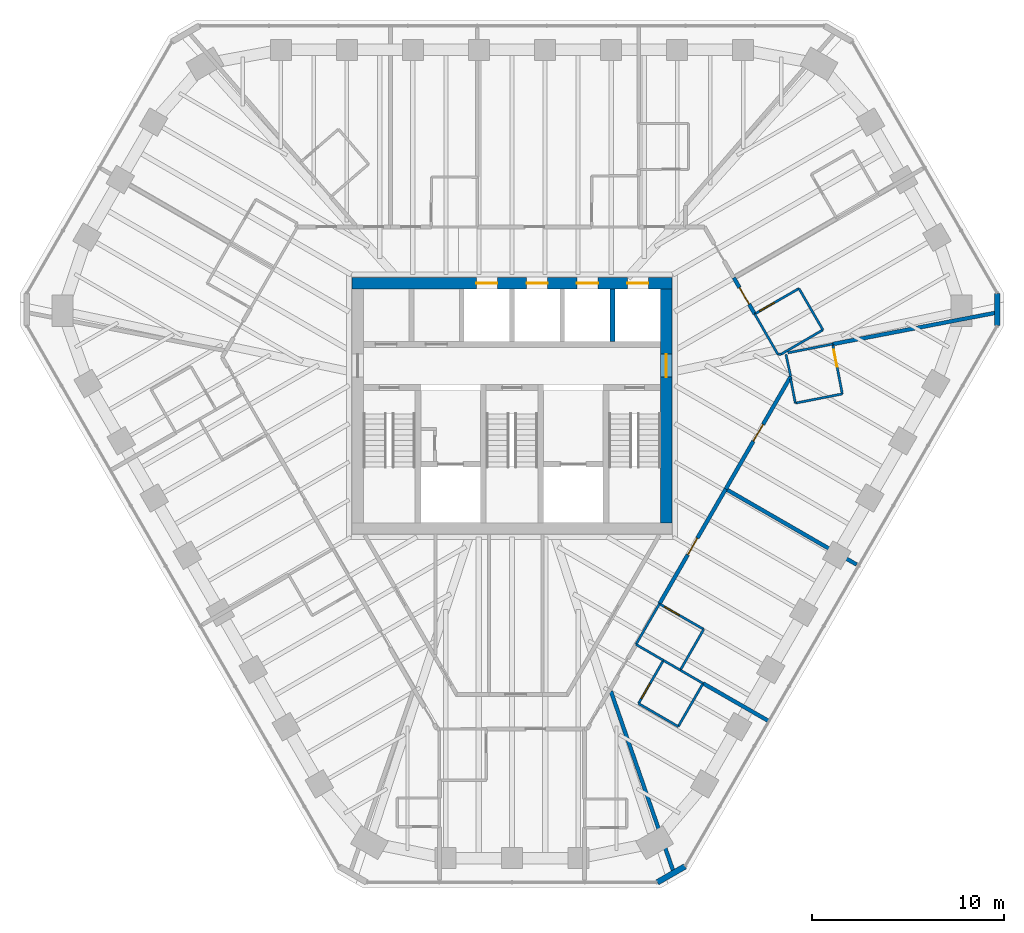
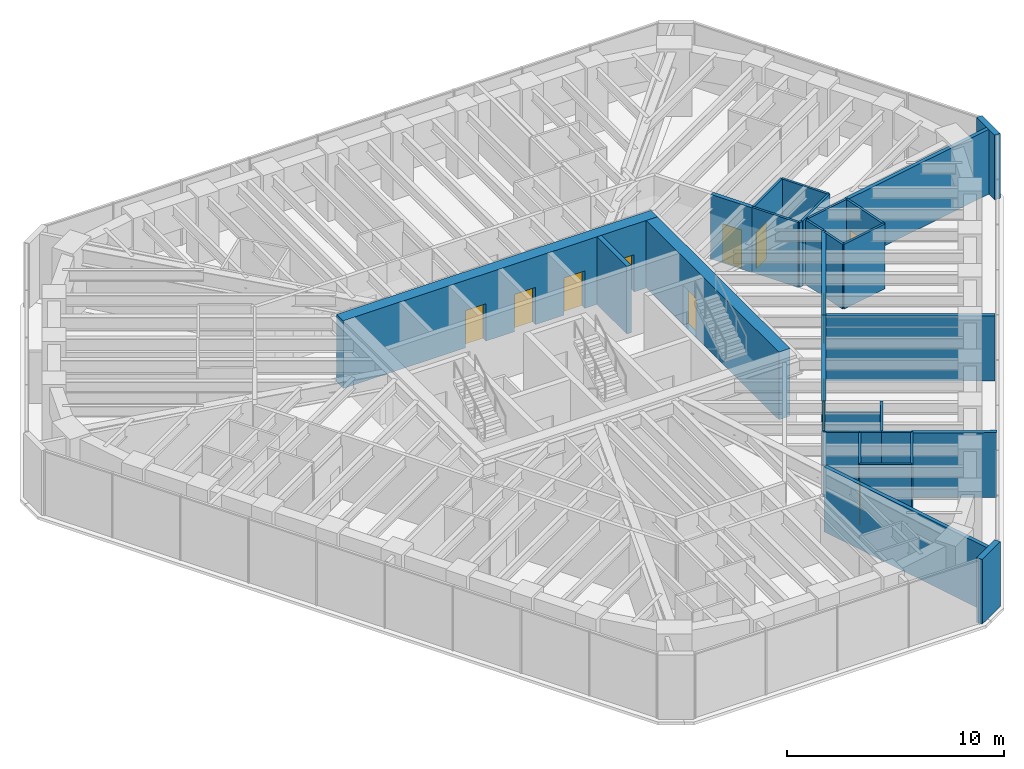
# One storey, part 11 of 14: 31 walls, 12 doors, 12 openings.
"""IFC4 building model written with IfcOpenShell, lengths in metres."""

from ifc_helpers import new_model, si_unit, direction, frame, frame_2d, origin, place, context, subcontext, project, spatial, rectangle, extrude, material, layer, layer_set, type_object, element, fill, save


model = new_model("IFC4")

# Units and contexts
model_context = context("Model", 3, precision=1e-05, world=origin(), true_north=direction((0.0, 1.0)))
body_context = subcontext(model_context, "Body", "Model", "MODEL_VIEW")
ifc_project = project(units=[si_unit("LENGTHUNIT", "METRE"), si_unit("AREAUNIT", "SQUARE_METRE"), si_unit("VOLUMEUNIT", "CUBIC_METRE"), si_unit("PLANEANGLEUNIT", "RADIAN"), si_unit("MASSUNIT", "GRAM", prefix="KILO")], contexts=[model_context])

# Site, building, storey
site_placement = place(None, origin())
site = spatial("IfcSite", under=ifc_project, at=site_placement, CompositionType="ELEMENT")
building_placement = place(site_placement, origin())
building = spatial("IfcBuilding", under=site, at=building_placement, Name="Sandreach Pilgrim Tower", CompositionType="ELEMENT")
storey_placement = place(building_placement, frame((0.0, 0.0, 264.60009765625)))
storey = spatial("IfcBuildingStorey", under=building, at=storey_placement, Name="L66", CompositionType="ELEMENT", Elevation=264.60009765625)

# Walls
ifc_material_1 = material(Name="Moisture-resistant gypsum board on steel studs", Category="steel")
ifc_layer_1 = layer(ifc_material_1, 0.1201171875)
ifc_layer_set_1 = layer_set([ifc_layer_1], Name="Bathroom partition 120")
wall_type_1 = type_object("IfcWallType", Name="Bathroom partition 120", PredefinedType="PARTITIONING", material=ifc_layer_set_1)
wall_1_placement = place(storey_placement, frame((6.46728515625, -12.448486328125, 0.0), z_axis=(0.0, 0.0, 1.0), x_axis=(0.499875104448, 0.866097500258, 0.0)))
element("IfcWall", 1, at=wall_1_placement, inside=storey, type_object=wall_type_1, Name="Bathroom partition L66-080", PredefinedType="PARTITIONING", context=body_context, shape_type="SweptSolid", body=[
    extrude(rectangle(XDim=2.446044921875, YDim=0.1201171875, at=frame_2d((1.22314453125, 0.0))), origin(), (0.0, 0.0, 1.0), 3.639892578125),
])
wall_2_placement = place(storey_placement, frame((6.469970703125, -12.449951171875, 0.0), z_axis=(0.0, 0.0, 1.0), x_axis=(0.864842719649, -0.502042896843, 0.0)))
element("IfcWall", 2, at=wall_2_placement, inside=storey, type_object=wall_type_1, Name="Bathroom partition L66-081", PredefinedType="PARTITIONING", context=body_context, shape_type="SweptSolid", body=[
    extrude(rectangle(XDim=1.6533203125, YDim=0.1201171875, at=frame_2d((0.82666015625, 0.0))), origin(), (0.0, 0.0, 1.0), 3.639892578125),
])
wall_3_placement = place(storey_placement, frame((6.60009765625, -15.530029296875, 0.0), z_axis=(0.0, 0.0, 1.0), x_axis=(0.865130376012, -0.501547039172, 0.0)))
element("IfcWall", 3, at=wall_3_placement, inside=storey, type_object=wall_type_1, Name="Bathroom partition L66-082", PredefinedType="PARTITIONING", context=body_context, shape_type="SweptSolid", body=[
    extrude(rectangle(XDim=2.392578125, YDim=0.1201171875, at=frame_2d((1.1962890625, 0.0))), origin(), (0.0, 0.0, 1.0), 3.639892578125),
])

# Wall, opening, door
wall_4_placement = place(storey_placement, frame((7.89990234375, -13.280029296875, 0.0), z_axis=(0.0, 0.0, 1.0), x_axis=(-0.500221244143, -0.865897630733, 0.0)))
wall_4 = element("IfcWall", 4, at=wall_4_placement, inside=storey, type_object=wall_type_1, Name="Bathroom partition L66-093", PredefinedType="PARTITIONING", context=body_context, shape_type="SweptSolid", body=[
    extrude(rectangle(XDim=2.598388671875, YDim=0.1201171875, at=frame_2d((1.29931640625, 0.0))), origin(), (0.0, 0.0, 1.0), 3.639892578125),
])
opening_1_placement = place(wall_4_placement, frame((1.398681640625, 0.0, 0.0)))
opening_1 = element("IfcOpeningElement", 5, at=opening_1_placement, cuts=wall_4, Name="Opening D09-09B", PredefinedType="OPENING", context=body_context, shape_type="SweptSolid", body=[
    extrude(rectangle(XDim=0.89990234375, YDim=2.030029296875, at=frame_2d((0.449951171875, 1.01513671875))), frame((0.0, 0.06005859375, 0.0), z_axis=(0.0, -1.0, 0.0), x_axis=(1.0, 0.0, 0.0)), (0.0, 0.0, 1.0), 0.1201171875),
])
ifc_material_2 = material(Name="Timber door, steel frame", Category="steel")
door_type_1 = type_object("IfcDoorType", Name="Bathroom door", OperationType="SINGLE_SWING_LEFT", PredefinedType="DOOR", material=ifc_material_2)
door_1_placement = place(opening_1_placement, origin())
door_1 = element("IfcDoor", 6, at=door_1_placement, inside=storey, type_object=door_type_1, Name="Door 6609B", OperationType="SINGLE_SWING_RIGHT", OverallHeight=2.030029296875, OverallWidth=0.89990234375, PredefinedType="DOOR", context=body_context, shape_type="SweptSolid", body=[
    extrude(rectangle(XDim=0.89990234375, YDim=2.030029296875, at=frame_2d((0.449951171875, 1.01513671875))), frame((0.0, 0.02490234375, 0.0), z_axis=(0.0, -1.0, 0.0), x_axis=(1.0, 0.0, 0.0)), (0.0, 0.0, 1.0), 0.050048828125),
])
fill(opening_1, door_1)

# Walls
wall_5_placement = place(storey_placement, frame((7.89990234375, -13.280029296875, 0.0), z_axis=(0.0, 0.0, 1.0), x_axis=(0.86522903342, -0.501376824082, 0.0)))
element("IfcWall", 7, at=wall_5_placement, inside=storey, type_object=wall_type_1, Name="Bathroom partition L66-094", PredefinedType="PARTITIONING", context=body_context, shape_type="SweptSolid", body=[
    extrude(rectangle(XDim=1.017333984375, YDim=0.1201171875, at=frame_2d((0.5087890625, 0.0))), origin(), (0.0, 0.0, 1.0), 3.639892578125),
])
wall_6_placement = place(storey_placement, frame((8.669921875, -16.72998046875, 0.0), z_axis=(0.0, 0.0, 1.0), x_axis=(0.500291685314, 0.865856933682, 0.0)))
element("IfcWall", 8, at=wall_6_placement, inside=storey, type_object=wall_type_1, Name="Bathroom partition L66-096", PredefinedType="PARTITIONING", context=body_context, shape_type="SweptSolid", body=[
    extrude(rectangle(XDim=2.5986328125, YDim=0.1201171875, at=frame_2d((1.29931640625, 0.0))), origin(), (0.0, 0.0, 1.0), 3.639892578125),
])
wall_7_placement = place(storey_placement, frame((8.780029296875, -13.7900390625, 0.0), z_axis=(0.0, 0.0, 1.0), x_axis=(0.865102050426, -0.501595895466, 0.0)))
element("IfcWall", 9, at=wall_7_placement, inside=storey, type_object=wall_type_1, Name="Bathroom partition L66-097", PredefinedType="PARTITIONING", context=body_context, shape_type="SweptSolid", body=[
    extrude(rectangle(XDim=1.37548828125, YDim=0.1201171875, at=frame_2d((0.687744140625, 0.0))), origin(), (0.0, 0.0, 1.0), 3.639892578125),
])
wall_8_placement = place(storey_placement, frame((8.780029296875, -13.7900390625, 0.0), z_axis=(0.0, 0.0, 1.0), x_axis=(0.497027744361, 0.86773464915, 0.0)))
element("IfcWall", 10, at=wall_8_placement, inside=storey, type_object=wall_type_1, Name="Bathroom partition L66-098", PredefinedType="PARTITIONING", context=body_context, shape_type="SweptSolid", body=[
    extrude(rectangle(XDim=2.45458984375, YDim=0.1201171875, at=frame_2d((1.227294921875, 0.0))), origin(), (0.0, 0.0, 1.0), 3.639892578125),
])

# Wall, opening, door
wall_9_placement = place(storey_placement, frame((10.0, -11.659912109375, 0.0), z_axis=(0.0, 0.0, 1.0), x_axis=(-0.866654860089, 0.498908161372, 0.0)))
wall_9 = element("IfcWall", 11, at=wall_9_placement, inside=storey, type_object=wall_type_1, Name="Bathroom partition L66-103", PredefinedType="PARTITIONING", context=body_context, shape_type="SweptSolid", body=[
    extrude(rectangle(XDim=2.66552734375, YDim=0.1201171875, at=frame_2d((1.332763671875, 0.0))), origin(), (0.0, 0.0, 1.0), 3.022705078125),
])
opening_2_placement = place(wall_9_placement, frame((1.465576171875, 0.0, 0.0)))
opening_2 = element("IfcOpeningElement", 12, at=opening_2_placement, cuts=wall_9, Name="Opening D09-08B", PredefinedType="OPENING", context=body_context, shape_type="SweptSolid", body=[
    extrude(rectangle(XDim=0.89990234375, YDim=2.030029296875, at=frame_2d((0.449951171875, 1.01513671875))), frame((0.0, 0.06005859375, 0.0), z_axis=(0.0, -1.0, 0.0), x_axis=(1.0, 0.0, 0.0)), (0.0, 0.0, 1.0), 0.1201171875),
])
door_2_placement = place(opening_2_placement, origin())
door_2 = element("IfcDoor", 13, at=door_2_placement, inside=storey, type_object=door_type_1, Name="Door 6608B", OperationType="SINGLE_SWING_RIGHT", OverallHeight=2.030029296875, OverallWidth=0.89990234375, PredefinedType="DOOR", context=body_context, shape_type="SweptSolid", body=[
    extrude(rectangle(XDim=0.89990234375, YDim=2.030029296875, at=frame_2d((0.449951171875, 1.01513671875))), frame((0.0, 0.02490234375, 0.0), z_axis=(0.0, -1.0, 0.0), x_axis=(1.0, 0.0, 0.0)), (0.0, 0.0, 1.0), 0.050048828125),
])
fill(opening_2, door_2)

# Walls
wall_10_placement = place(storey_placement, frame((12.659912109375, 4.7900390625, 0.0), z_axis=(0.0, 0.0, 1.0), x_axis=(0.498748634132, -0.866746675766, 0.0)))
element("IfcWall", 14, at=wall_10_placement, inside=storey, type_object=wall_type_1, Name="Bathroom partition L66-109", PredefinedType="PARTITIONING", context=body_context, shape_type="SweptSolid", body=[
    extrude(rectangle(XDim=2.446044921875, YDim=0.1201171875, at=frame_2d((1.22314453125, 0.0))), origin(), (0.0, 0.0, 1.0), 3.639892578125),
])
wall_11_placement = place(storey_placement, frame((14.0478515625, 2.70361328125, 0.0), z_axis=(0.0, 0.0, 1.0), x_axis=(-0.981954528773, -0.189117168504, 0.0)))
element("IfcWall", 15, at=wall_11_placement, inside=storey, type_object=wall_type_1, Name="Bathroom partition L66-110", PredefinedType="PARTITIONING", context=body_context, shape_type="SweptSolid", body=[
    extrude(rectangle(XDim=0.167724609375, YDim=0.1201171875, at=frame_2d((0.083984375, 0.0))), origin(), (0.0, 0.0, 1.0), 3.639892578125),
])
wall_12_placement = place(storey_placement, frame((14.050048828125, 2.699951171875, 0.0), z_axis=(0.0, 0.0, 1.0), x_axis=(0.864779406007, 0.502151948065, 0.0)))
element("IfcWall", 16, at=wall_12_placement, inside=storey, type_object=wall_type_1, Name="Bathroom partition L66-111", PredefinedType="PARTITIONING", context=body_context, shape_type="SweptSolid", body=[
    extrude(rectangle(XDim=2.50927734375, YDim=0.1201171875, at=frame_2d((1.254638671875, 0.0))), origin(), (0.0, 0.0, 1.0), 3.639892578125),
])
wall_13_placement = place(storey_placement, frame((14.537109375, 1.401611328125, 0.0), z_axis=(0.0, 0.0, 1.0), x_axis=(0.189058811395, -0.981965766121, 0.0)))
element("IfcWall", 17, at=wall_13_placement, inside=storey, type_object=wall_type_1, Name="Bathroom partition L66-112", PredefinedType="PARTITIONING", context=body_context, shape_type="SweptSolid", body=[
    extrude(rectangle(XDim=1.284912109375, YDim=0.1201171875, at=frame_2d((0.642578125, 0.0))), origin(), (0.0, 0.0, 1.0), 3.639892578125),
])
wall_14_placement = place(storey_placement, frame((14.540283203125, 1.531494140625, 0.0), z_axis=(0.0, 0.0, 1.0), x_axis=(-0.213239076566, 0.977000049245, 0.0)))
element("IfcWall", 18, at=wall_14_placement, inside=storey, type_object=wall_type_1, Name="Bathroom partition L66-113", PredefinedType="PARTITIONING", context=body_context, shape_type="SweptSolid", body=[
    extrude(rectangle(XDim=1.177001953125, YDim=0.1201171875, at=frame_2d((0.58837890625, 0.0))), origin(), (0.0, 0.0, 1.0), 3.639892578125),
])
wall_15_placement = place(storey_placement, frame((14.780029296875, 0.139892578125, 0.0), z_axis=(0.0, 0.0, 1.0), x_axis=(0.981325695508, 0.192353526962, 0.0)))
element("IfcWall", 19, at=wall_15_placement, inside=storey, type_object=wall_type_1, Name="Bathroom partition L66-114", PredefinedType="PARTITIONING", context=body_context, shape_type="SweptSolid", body=[
    extrude(rectangle(XDim=2.49658203125, YDim=0.1201171875, at=frame_2d((1.248291015625, 0.0))), origin(), (0.0, 0.0, 1.0), 3.639892578125),
])

# Wall, opening, door
wall_16_placement = place(storey_placement, frame((14.969970703125, 6.1201171875, 0.0), z_axis=(0.0, 0.0, 1.0), x_axis=(-0.866615255992, -0.498976951453, 0.0)))
wall_16 = element("IfcWall", 20, at=wall_16_placement, inside=storey, type_object=wall_type_1, Name="Bathroom partition L66-115", PredefinedType="PARTITIONING", context=body_context, shape_type="SweptSolid", body=[
    extrude(rectangle(XDim=2.66552734375, YDim=0.1201171875, at=frame_2d((1.332763671875, 0.0))), origin(), (0.0, 0.0, 1.0), 3.639892578125),
])
opening_3_placement = place(wall_16_placement, frame((1.465576171875, 0.0, 0.0)))
opening_3 = element("IfcOpeningElement", 21, at=opening_3_placement, cuts=wall_16, Name="Opening D09-06B", PredefinedType="OPENING", context=body_context, shape_type="SweptSolid", body=[
    extrude(rectangle(XDim=0.89990234375, YDim=2.030029296875, at=frame_2d((0.449951171875, 1.01513671875))), frame((0.0, 0.06005859375, 0.0), z_axis=(0.0, -1.0, 0.0), x_axis=(1.0, 0.0, 0.0)), (0.0, 0.0, 1.0), 0.1201171875),
])
door_3_placement = place(opening_3_placement, origin())
door_3 = element("IfcDoor", 22, at=door_3_placement, inside=storey, type_object=door_type_1, Name="Door 6606B", OperationType="SINGLE_SWING_RIGHT", OverallHeight=2.030029296875, OverallWidth=0.89990234375, PredefinedType="DOOR", context=body_context, shape_type="SweptSolid", body=[
    extrude(rectangle(XDim=0.89990234375, YDim=2.030029296875, at=frame_2d((0.449951171875, 1.01513671875))), frame((0.0, 0.02490234375, 0.0), z_axis=(0.0, -1.0, 0.0), x_axis=(1.0, 0.0, 0.0)), (0.0, 0.0, 1.0), 0.050048828125),
])
fill(opening_3, door_3)

# Walls
wall_17_placement = place(storey_placement, frame((16.219970703125, 3.9599609375, 0.0), z_axis=(0.0, 0.0, 1.0), x_axis=(-0.500893576935, 0.865508881864, 0.0)))
element("IfcWall", 23, at=wall_17_placement, inside=storey, type_object=wall_type_1, Name="Bathroom partition L66-117", PredefinedType="PARTITIONING", context=body_context, shape_type="SweptSolid", body=[
    extrude(rectangle(XDim=2.49560546875, YDim=0.1201171875, at=frame_2d((1.247802734375, 0.0))), origin(), (0.0, 0.0, 1.0), 3.639892578125),
])
wall_18_placement = place(storey_placement, frame((16.72998046875, 3.219970703125, 0.0), z_axis=(0.0, 0.0, 1.0), x_axis=(-0.981490592026, -0.19151035942, 0.0)))
element("IfcWall", 24, at=wall_18_placement, inside=storey, type_object=wall_type_1, Name="Bathroom partition L66-118", PredefinedType="PARTITIONING", context=body_context, shape_type="SweptSolid", body=[
    extrude(rectangle(XDim=2.386474609375, YDim=0.1201171875, at=frame_2d((1.193359375, 0.0))), origin(), (0.0, 0.0, 1.0), 3.639892578125),
])

# Wall, opening, door
wall_19_placement = place(storey_placement, frame((17.22998046875, 0.6201171875, 0.0), z_axis=(0.0, 0.0, 1.0), x_axis=(-0.18885765444, 0.982004473696, 0.0)))
wall_19 = element("IfcWall", 25, at=wall_19_placement, inside=storey, type_object=wall_type_1, Name="Bathroom partition L66-123", PredefinedType="PARTITIONING", context=body_context, shape_type="SweptSolid", body=[
    extrude(rectangle(XDim=2.6474609375, YDim=0.1201171875, at=frame_2d((1.32373046875, 0.0))), origin(), (0.0, 0.0, 1.0), 3.639892578125),
])
opening_4_placement = place(wall_19_placement, frame((1.447509765625, 0.0, 0.0)))
opening_4 = element("IfcOpeningElement", 26, at=opening_4_placement, cuts=wall_19, Name="Opening D09-07B", PredefinedType="OPENING", context=body_context, shape_type="SweptSolid", body=[
    extrude(rectangle(XDim=0.89990234375, YDim=2.030029296875, at=frame_2d((0.449951171875, 1.01513671875))), frame((0.0, 0.06005859375, 0.0), z_axis=(0.0, -1.0, 0.0), x_axis=(1.0, 0.0, 0.0)), (0.0, 0.0, 1.0), 0.1201171875),
])
door_4_placement = place(opening_4_placement, origin())
door_4 = element("IfcDoor", 27, at=door_4_placement, inside=storey, type_object=door_type_1, Name="Door 6607B", OperationType="SINGLE_SWING_RIGHT", OverallHeight=2.030029296875, OverallWidth=0.89990234375, PredefinedType="DOOR", context=body_context, shape_type="SweptSolid", body=[
    extrude(rectangle(XDim=0.89990234375, YDim=2.030029296875, at=frame_2d((0.449951171875, 1.01513671875))), frame((0.0, 0.02490234375, 0.0), z_axis=(0.0, -1.0, 0.0), x_axis=(1.0, 0.0, 0.0)), (0.0, 0.0, 1.0), 0.050048828125),
])
fill(opening_4, door_4)

# Wall, openings, doors
ifc_material_3 = material(Name="Concrete 10000 psi", Category="concrete")
ifc_layer_2 = layer(ifc_material_3, 0.60009765625)
ifc_layer_set_2 = layer_set([ifc_layer_2], Name="Core wall 600")
wall_type_2 = type_object("IfcWallType", Name="Core wall 600", PredefinedType="SHEAR", material=ifc_layer_set_2)
wall_20_placement = place(storey_placement, frame((-8.35009765625, 6.39990234375, 0.0), z_axis=(0.0, 0.0, 1.0), x_axis=(1.0, 0.0, 0.0)))
wall_20 = element("IfcWall", 28, at=wall_20_placement, inside=storey, type_object=wall_type_2, Name="Core wall N L66", PredefinedType="SHEAR", context=body_context, shape_type="SweptSolid", body=[
    extrude(rectangle(XDim=16.7001953125, YDim=0.60009765625, at=frame_2d((8.35009765625, 0.0))), origin(), (0.0, 0.0, 1.0), 3.7998046875),
])
opening_5_placement = place(wall_20_placement, frame((6.487548828125, 0.0, 0.0)))
opening_5 = element("IfcOpeningElement", 29, at=opening_5_placement, cuts=wall_20, Name="Opening LD11", PredefinedType="OPENING", context=body_context, shape_type="SweptSolid", body=[
    extrude(rectangle(XDim=1.10009765625, YDim=2.10009765625, at=frame_2d((0.550048828125, 1.050048828125))), frame((0.0, 0.300048828125, 0.0), z_axis=(0.0, -1.0, 0.0), x_axis=(1.0, 0.0, 0.0)), (0.0, 0.0, 1.0), 0.60009765625),
])
opening_6_placement = place(wall_20_placement, frame((9.112548828125, 0.0, 0.0)))
opening_6 = element("IfcOpeningElement", 30, at=opening_6_placement, cuts=wall_20, Name="Opening LD11", PredefinedType="OPENING", context=body_context, shape_type="SweptSolid", body=[
    extrude(rectangle(XDim=1.10009765625, YDim=2.10009765625, at=frame_2d((0.550048828125, 1.050048828125))), frame((0.0, 0.300048828125, 0.0), z_axis=(0.0, -1.0, 0.0), x_axis=(1.0, 0.0, 0.0)), (0.0, 0.0, 1.0), 0.60009765625),
])
opening_7_placement = place(wall_20_placement, frame((11.737548828125, 0.0, 0.0)))
opening_7 = element("IfcOpeningElement", 31, at=opening_7_placement, cuts=wall_20, Name="Opening LD11", PredefinedType="OPENING", context=body_context, shape_type="SweptSolid", body=[
    extrude(rectangle(XDim=1.10009765625, YDim=2.10009765625, at=frame_2d((0.550048828125, 1.050048828125))), frame((0.0, 0.300048828125, 0.0), z_axis=(0.0, -1.0, 0.0), x_axis=(1.0, 0.0, 0.0)), (0.0, 0.0, 1.0), 0.60009765625),
])
opening_8_placement = place(wall_20_placement, frame((14.362548828125, 0.0, 0.0)))
opening_8 = element("IfcOpeningElement", 32, at=opening_8_placement, cuts=wall_20, Name="Opening LD11", PredefinedType="OPENING", context=body_context, shape_type="SweptSolid", body=[
    extrude(rectangle(XDim=1.10009765625, YDim=2.10009765625, at=frame_2d((0.550048828125, 1.050048828125))), frame((0.0, 0.300048828125, 0.0), z_axis=(0.0, -1.0, 0.0), x_axis=(1.0, 0.0, 0.0)), (0.0, 0.0, 1.0), 0.60009765625),
])
ifc_material_4 = material(Name="Steel door and frame", Category="steel")
door_type_2 = type_object("IfcDoorType", Name="Lift landing door", OperationType="DOUBLE_DOOR_SLIDING", PredefinedType="DOOR", material=ifc_material_4)
door_5_placement = place(opening_5_placement, origin())
door_5 = element("IfcDoor", 33, at=door_5_placement, inside=storey, type_object=door_type_2, Name="Lift landing door Z3A L66", OperationType="DOUBLE_DOOR_SLIDING", OverallHeight=2.10009765625, OverallWidth=1.10009765625, PredefinedType="DOOR", context=body_context, shape_type="SweptSolid", body=[
    extrude(rectangle(XDim=1.10009765625, YDim=2.10009765625, at=frame_2d((0.550048828125, 1.050048828125))), frame((0.0, 0.02490234375, 0.0), z_axis=(0.0, -1.0, 0.0), x_axis=(1.0, 0.0, 0.0)), (0.0, 0.0, 1.0), 0.050048828125),
])
fill(opening_5, door_5)
door_6_placement = place(opening_6_placement, origin())
door_6 = element("IfcDoor", 34, at=door_6_placement, inside=storey, type_object=door_type_2, Name="Lift landing door Z3B L66", OperationType="DOUBLE_DOOR_SLIDING", OverallHeight=2.10009765625, OverallWidth=1.10009765625, PredefinedType="DOOR", context=body_context, shape_type="SweptSolid", body=[
    extrude(rectangle(XDim=1.10009765625, YDim=2.10009765625, at=frame_2d((0.550048828125, 1.050048828125))), frame((0.0, 0.02490234375, 0.0), z_axis=(0.0, -1.0, 0.0), x_axis=(1.0, 0.0, 0.0)), (0.0, 0.0, 1.0), 0.050048828125),
])
fill(opening_6, door_6)
door_7_placement = place(opening_7_placement, origin())
door_7 = element("IfcDoor", 35, at=door_7_placement, inside=storey, type_object=door_type_2, Name="Lift landing door Z3C L66", OperationType="DOUBLE_DOOR_SLIDING", OverallHeight=2.10009765625, OverallWidth=1.10009765625, PredefinedType="DOOR", context=body_context, shape_type="SweptSolid", body=[
    extrude(rectangle(XDim=1.10009765625, YDim=2.10009765625, at=frame_2d((0.550048828125, 1.050048828125))), frame((0.0, 0.02490234375, 0.0), z_axis=(0.0, -1.0, 0.0), x_axis=(1.0, 0.0, 0.0)), (0.0, 0.0, 1.0), 0.050048828125),
])
fill(opening_7, door_7)
door_8_placement = place(opening_8_placement, origin())
door_8 = element("IfcDoor", 36, at=door_8_placement, inside=storey, type_object=door_type_2, Name="Lift landing door Z3D L66", OperationType="DOUBLE_DOOR_SLIDING", OverallHeight=2.10009765625, OverallWidth=1.10009765625, PredefinedType="DOOR", context=body_context, shape_type="SweptSolid", body=[
    extrude(rectangle(XDim=1.10009765625, YDim=2.10009765625, at=frame_2d((0.550048828125, 1.050048828125))), frame((0.0, 0.02490234375, 0.0), z_axis=(0.0, -1.0, 0.0), x_axis=(1.0, 0.0, 0.0)), (0.0, 0.0, 1.0), 0.050048828125),
])
fill(opening_8, door_8)

# Wall, opening, door
wall_21_placement = place(storey_placement, frame((8.050048828125, -6.10009765625, 0.0), z_axis=(0.0, 0.0, 1.0), x_axis=(0.0, 1.0, 0.0)))
wall_21 = element("IfcWall", 37, at=wall_21_placement, inside=storey, type_object=wall_type_2, Name="Core wall E L66", PredefinedType="SHEAR", context=body_context, shape_type="SweptSolid", body=[
    extrude(rectangle(XDim=12.2001953125, YDim=0.60009765625, at=frame_2d((6.10009765625, 0.0))), origin(), (0.0, 0.0, 1.0), 3.7998046875),
])
opening_9_placement = place(wall_21_placement, frame((7.60009765625, 0.0, 0.0)))
opening_9 = element("IfcOpeningElement", 38, at=opening_9_placement, cuts=wall_21, Name="Opening D12F-E", PredefinedType="OPENING", context=body_context, shape_type="SweptSolid", body=[
    extrude(rectangle(XDim=1.199951171875, YDim=2.199951171875, at=frame_2d((0.60009765625, 1.10009765625))), frame((0.0, 0.300048828125, 0.0), z_axis=(0.0, -1.0, 0.0), x_axis=(1.0, 0.0, 0.0)), (0.0, 0.0, 1.0), 0.60009765625),
])
ifc_material_5 = material(Name="Steel door and frame", Category="steel")
door_type_3 = type_object("IfcDoorType", Name="Fire lobby door", OperationType="SINGLE_SWING_LEFT", PredefinedType="DOOR", material=ifc_material_5)
door_9_placement = place(opening_9_placement, origin())
door_9 = element("IfcDoor", 39, at=door_9_placement, inside=storey, type_object=door_type_3, Name="Fire service lobby door E L66", OperationType="SINGLE_SWING_RIGHT", OverallHeight=2.199951171875, OverallWidth=1.199951171875, PredefinedType="DOOR", context=body_context, shape_type="SweptSolid", body=[
    extrude(rectangle(XDim=1.199951171875, YDim=2.199951171875, at=frame_2d((0.60009765625, 1.10009765625))), frame((0.0, 0.02490234375, 0.0), z_axis=(0.0, -1.0, 0.0), x_axis=(1.0, 0.0, 0.0)), (0.0, 0.0, 1.0), 0.050048828125),
])
fill(opening_9, door_9)

ifc_material_6 = material(Name="Gypsum board on steel studs, two layers each side", Category="steel")
ifc_layer_3 = layer(ifc_material_6, 0.199951171875)
ifc_layer_set_3 = layer_set([ifc_layer_3], Name="Corridor wall 200")
wall_type_3 = type_object("IfcWallType", Name="Corridor wall 200", PredefinedType="PARTITIONING", material=ifc_layer_set_3)
wall_22_placement = place(storey_placement, frame((7.68994140625, -10.330078125, 0.0), z_axis=(0.0, 0.0, 1.0), x_axis=(0.500177633683, 0.865922822637, 0.0)))
wall_22 = element("IfcWall", 40, at=wall_22_placement, inside=storey, type_object=wall_type_3, Name="Corridor wall L66-092", PredefinedType="PARTITIONING", context=body_context, shape_type="SweptSolid", body=[
    extrude(rectangle(XDim=6.91748046875, YDim=0.199951171875, at=frame_2d((3.458740234375, 0.0))), origin(), (0.0, 0.0, 1.0), 3.639892578125),
])
opening_10_placement = place(wall_22_placement, frame((2.958740234375, 0.0, 0.0)))
opening_10 = element("IfcOpeningElement", 41, at=opening_10_placement, cuts=wall_22, Name="Opening D10-08", PredefinedType="OPENING", context=body_context, shape_type="SweptSolid", body=[
    extrude(rectangle(XDim=1.0, YDim=2.1298828125, at=frame_2d((0.5, 1.06494140625))), frame((0.0, 0.10009765625, 0.0), z_axis=(0.0, -1.0, 0.0), x_axis=(1.0, 0.0, 0.0)), (0.0, 0.0, 1.0), 0.199951171875),
])
ifc_material_7 = material(Name="Steel door and frame", Category="steel")
door_type_4 = type_object("IfcDoorType", Name="Guest room entry door", OperationType="SINGLE_SWING_LEFT", PredefinedType="DOOR", material=ifc_material_7)
door_10_placement = place(opening_10_placement, origin())
door_10 = element("IfcDoor", 42, at=door_10_placement, inside=storey, type_object=door_type_4, Name="Door 6608", OperationType="SINGLE_SWING_LEFT", OverallHeight=2.1298828125, OverallWidth=1.0, PredefinedType="DOOR", context=body_context, shape_type="SweptSolid", body=[
    extrude(rectangle(XDim=1.0, YDim=2.1298828125, at=frame_2d((0.5, 1.06494140625))), frame((0.0, 0.02490234375, 0.0), z_axis=(0.0, -1.0, 0.0), x_axis=(1.0, 0.0, 0.0)), (0.0, 0.0, 1.0), 0.050048828125),
])
fill(opening_10, door_10)

wall_23_placement = place(storey_placement, frame((11.14990234375, -4.340087890625, 0.0), z_axis=(0.0, 0.0, 1.0), x_axis=(0.500113178326, 0.865960050386, 0.0)))
wall_23 = element("IfcWall", 43, at=wall_23_placement, inside=storey, type_object=wall_type_3, Name="Corridor wall L66-106", PredefinedType="PARTITIONING", context=body_context, shape_type="SweptSolid", body=[
    extrude(rectangle(XDim=6.77880859375, YDim=0.199951171875, at=frame_2d((3.389404296875, 0.0))), origin(), (0.0, 0.0, 1.0), 3.639892578125),
])
opening_11_placement = place(wall_23_placement, frame((2.889404296875, 0.0, 0.0)))
opening_11 = element("IfcOpeningElement", 44, at=opening_11_placement, cuts=wall_23, Name="Opening D10-07", PredefinedType="OPENING", context=body_context, shape_type="SweptSolid", body=[
    extrude(rectangle(XDim=1.0, YDim=2.1298828125, at=frame_2d((0.5, 1.06494140625))), frame((0.0, 0.10009765625, 0.0), z_axis=(0.0, -1.0, 0.0), x_axis=(1.0, 0.0, 0.0)), (0.0, 0.0, 1.0), 0.199951171875),
])
door_11_placement = place(opening_11_placement, origin())
door_11 = element("IfcDoor", 45, at=door_11_placement, inside=storey, type_object=door_type_4, Name="Door 6607", OperationType="SINGLE_SWING_LEFT", OverallHeight=2.1298828125, OverallWidth=1.0, PredefinedType="DOOR", context=body_context, shape_type="SweptSolid", body=[
    extrude(rectangle(XDim=1.0, YDim=2.1298828125, at=frame_2d((0.5, 1.06494140625))), frame((0.0, 0.02490234375, 0.0), z_axis=(0.0, -1.0, 0.0), x_axis=(1.0, 0.0, 0.0)), (0.0, 0.0, 1.0), 0.050048828125),
])
fill(opening_11, door_11)

wall_24_placement = place(storey_placement, frame((11.571044921875, 6.6806640625, 0.0), z_axis=(0.0, 0.0, 1.0), x_axis=(0.500374530646, -0.865809060406, 0.0)))
wall_24 = element("IfcWall", 46, at=wall_24_placement, inside=storey, type_object=wall_type_3, Name="Corridor wall L66-107", PredefinedType="PARTITIONING", context=body_context, shape_type="SweptSolid", body=[
    extrude(rectangle(XDim=2.181884765625, YDim=0.199951171875, at=frame_2d((1.0908203125, 0.0))), origin(), (0.0, 0.0, 1.0), 3.639892578125),
])
opening_12_placement = place(wall_24_placement, frame((0.5908203125, 0.0, 0.0)))
opening_12 = element("IfcOpeningElement", 47, at=opening_12_placement, cuts=wall_24, Name="Opening D10-06", PredefinedType="OPENING", context=body_context, shape_type="SweptSolid", body=[
    extrude(rectangle(XDim=1.0, YDim=2.1298828125, at=frame_2d((0.5, 1.06494140625))), frame((0.0, 0.10009765625, 0.0), z_axis=(0.0, -1.0, 0.0), x_axis=(1.0, 0.0, 0.0)), (0.0, 0.0, 1.0), 0.199951171875),
])
door_12_placement = place(opening_12_placement, origin())
door_12 = element("IfcDoor", 48, at=door_12_placement, inside=storey, type_object=door_type_4, Name="Door 6606", OperationType="SINGLE_SWING_LEFT", OverallHeight=2.1298828125, OverallWidth=1.0, PredefinedType="DOOR", context=body_context, shape_type="SweptSolid", body=[
    extrude(rectangle(XDim=1.0, YDim=2.1298828125, at=frame_2d((0.5, 1.06494140625))), frame((0.0, 0.02490234375, 0.0), z_axis=(0.0, -1.0, 0.0), x_axis=(1.0, 0.0, 0.0)), (0.0, 0.0, 1.0), 0.050048828125),
])
fill(opening_12, door_12)

# Walls
ifc_material_8 = material(Name="Double steel stud acoustic wall, gypsum board", Category="steel")
ifc_layer_4 = layer(ifc_material_8, 0.199951171875)
ifc_layer_set_4 = layer_set([ifc_layer_4], Name="Party wall 200")
wall_type_4 = type_object("IfcWallType", Name="Party wall 200", PredefinedType="PARTITIONING", material=ifc_layer_set_4)
wall_25_placement = place(storey_placement, frame((8.4501953125, -24.381591796875, 0.0), z_axis=(0.0, 0.0, 1.0), x_axis=(-0.327686879249, 0.944786382823, 0.0)))
element("IfcWall", 49, at=wall_25_placement, inside=storey, type_object=wall_type_4, Name="Party wall L66-095", PredefinedType="PARTITIONING", context=body_context, shape_type="SweptSolid", body=[
    extrude(rectangle(XDim=10.052978515625, YDim=0.199951171875, at=frame_2d((5.0263671875, 0.0))), origin(), (0.0, 0.0, 1.0), 3.639892578125),
])
wall_26_placement = place(storey_placement, frame((9.969970703125, -14.47998046875, 0.0), z_axis=(0.0, 0.0, 1.0), x_axis=(0.867154119852, -0.498039890395, 0.0)))
element("IfcWall", 50, at=wall_26_placement, inside=storey, type_object=wall_type_4, Name="Party wall L66-102", PredefinedType="PARTITIONING", context=body_context, shape_type="SweptSolid", body=[
    extrude(rectangle(XDim=3.925537109375, YDim=0.199951171875, at=frame_2d((1.962890625, 0.0))), origin(), (0.0, 0.0, 1.0), 3.639892578125),
])
wall_27_placement = place(storey_placement, frame((16.72998046875, 3.219970703125, 0.0), z_axis=(0.0, 0.0, 1.0), x_axis=(0.982039995549, 0.188672857462, 0.0)))
element("IfcWall", 51, at=wall_27_placement, inside=storey, type_object=wall_type_4, Name="Party wall L66-119", PredefinedType="PARTITIONING", context=body_context, shape_type="SweptSolid", body=[
    extrude(rectangle(XDim=8.76806640625, YDim=0.199951171875, at=frame_2d((4.384033203125, 0.0))), origin(), (0.0, 0.0, 1.0), 3.639892578125),
])
wall_28_placement = place(storey_placement, frame((17.97607421875, -8.280029296875, 0.0), z_axis=(0.0, 0.0, 1.0), x_axis=(-0.866080683341, 0.499904240773, 0.0)))
element("IfcWall", 52, at=wall_28_placement, inside=storey, type_object=wall_type_4, Name="Party wall L66-125", PredefinedType="PARTITIONING", context=body_context, shape_type="SweptSolid", body=[
    extrude(rectangle(XDim=7.86669921875, YDim=0.199951171875, at=frame_2d((3.933349609375, 0.0))), origin(), (0.0, 0.0, 1.0), 3.639892578125),
])
ifc_material_9 = material(Name="Gypsum shaft wall on steel studs, two layers of shaft liner board", Category="steel")
ifc_layer_5 = layer(ifc_material_9, 0.25)
ifc_layer_set_5 = layer_set([ifc_layer_5], Name="Shaft partition 250")
wall_type_5 = type_object("IfcWallType", Name="Shaft partition 250", PredefinedType="PARTITIONING", material=ifc_layer_set_5)
wall_29_placement = place(storey_placement, frame((5.25, 3.35009765625, 0.0), z_axis=(0.0, 0.0, 1.0), x_axis=(0.0, 1.0, 0.0)))
element("IfcWall", 53, at=wall_29_placement, inside=storey, type_object=wall_type_5, Name="Shaft partition NS4 L66", PredefinedType="PARTITIONING", context=body_context, shape_type="SweptSolid", body=[
    extrude(rectangle(XDim=2.75, YDim=0.25, at=frame_2d((1.375, 0.0))), origin(), (0.0, 0.0, 1.0), 3.7998046875),
])
ifc_material_10 = material(Name="Terracotta rainscreen on concrete", Category="masonry")
ifc_layer_6 = layer(ifc_material_10, 0.300048828125)
ifc_layer_set_6 = layer_set([ifc_layer_6], Name="Terracotta chamfer pier")
wall_type_6 = type_object("IfcWallType", Name="Terracotta chamfer pier", PredefinedType="SOLIDWALL", material=ifc_layer_set_6)
for number, where, z_axis, x_axis, name in (
    (54, (25.3193359375, 5.861572265625, 0.0), (0.0, 0.0, 1.0), (0.0, -1.0, 0.0), "Chamfer pier L66 NE"),
    (55, (9.02099609375, -24.028076171875, 0.0), (0.0, 0.0, 1.0), (-0.865989634427, -0.500061949227, 0.0), "Chamfer pier L66 SE"),
):
    element("IfcWall", number, at=place(storey_placement, frame(where, z_axis=z_axis, x_axis=x_axis)), inside=storey, type_object=wall_type_6, Name=name, PredefinedType="SOLIDWALL", context=body_context, shape_type="SweptSolid", body=[
        extrude(rectangle(XDim=1.659912109375, YDim=0.300048828125, at=frame_2d((0.830078125, 0.0))), origin(), (0.0, 0.0, 1.0), 3.639892578125),
    ])

save(model, "model.ifc")
